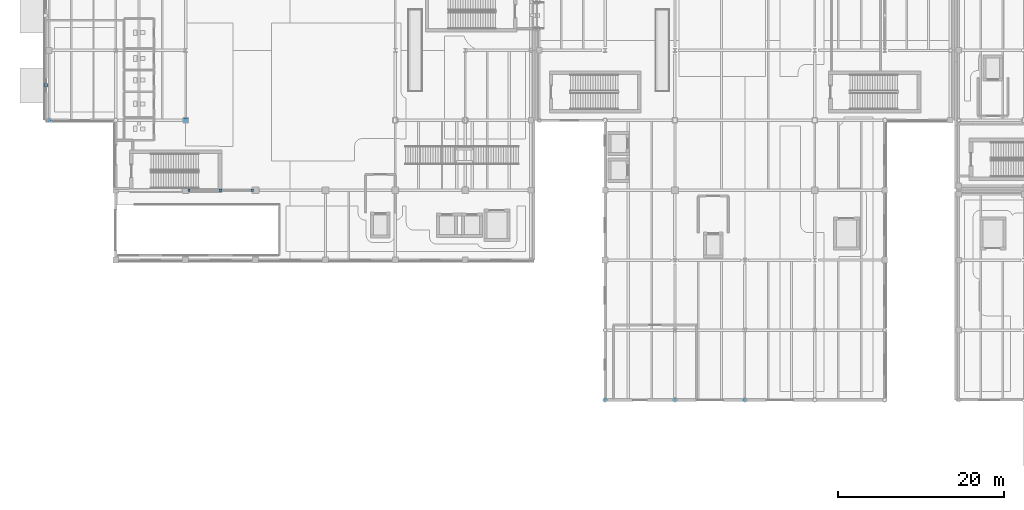
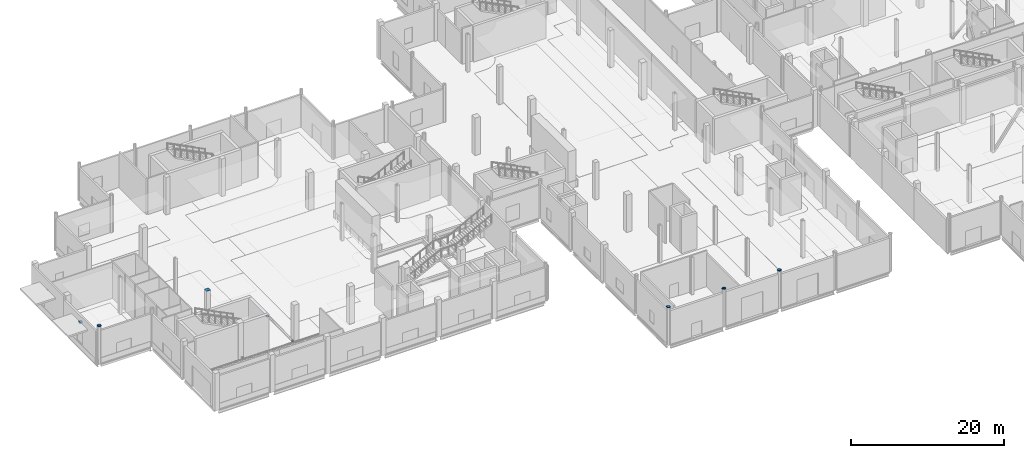
# One storey, part 56 of 85: 9 discrete accessories.
"""IFC4 building model written with IfcOpenShell, lengths in metres."""

from ifc_helpers import new_model, si_unit, direction, frame, origin, origin_2d, place, context, subcontext, project, spatial, rectangle, circle, extrude, material, type_object, element, save


model = new_model("IFC4")

# Units and contexts
model_context = context("Model", 3, precision=1e-05, world=origin(), true_north=direction((0.0, 1.0)))
body_context = subcontext(model_context, "Body", "Model", "MODEL_VIEW")
ifc_project = project(units=[si_unit("LENGTHUNIT", "METRE"), si_unit("AREAUNIT", "SQUARE_METRE"), si_unit("VOLUMEUNIT", "CUBIC_METRE"), si_unit("PLANEANGLEUNIT", "RADIAN"), si_unit("MASSUNIT", "GRAM", prefix="KILO"), si_unit("THERMODYNAMICTEMPERATUREUNIT", "KELVIN")], contexts=[model_context])

# Site, building, storey
site_placement = place(None, origin())
site = spatial("IfcSite", under=ifc_project, at=site_placement, CompositionType="ELEMENT")
building_placement = place(site_placement, origin())
building = spatial("IfcBuilding", under=site, at=building_placement, Name="Lustrewick Department Store", CompositionType="ELEMENT")
storey_placement = place(building_placement, origin())
storey = spatial("IfcBuildingStorey", under=building, at=storey_placement, Name="L01", CompositionType="ELEMENT", Elevation=0.0)

# Discrete accessories
ifc_material_1 = material(Name="Anodized filigree aluminium 6061-T6", Category="aluminium")
discrete_accessory_type_1 = type_object("IfcDiscreteAccessoryType", Name="BRK-FIL", PredefinedType="BRACKET", material=ifc_material_1)
discrete_accessory_1_placement = place(storey_placement, frame((0.0, 63.0, 4.0), z_axis=(0.0, 0.0, 1.0), x_axis=(0.0, 1.0, 0.0)))
element("IfcDiscreteAccessory", 1, at=discrete_accessory_1_placement, inside=storey, type_object=discrete_accessory_type_1, Name="L01 Marquise Anchor Bracket 05", PredefinedType="BRACKET", context=body_context, shape_type="SweptSolid", body=[
    extrude(rectangle(XDim=0.39990234375, YDim=0.39990234375, at=origin_2d()), origin(), (0.0, 0.0, 1.0), 0.300048828125),
])
ifc_material_2 = material(Name="Structural steel Q355C", Category="steel")
discrete_accessory_type_2 = type_object("IfcDiscreteAccessoryType", Name="GUS-NODE", PredefinedType="BRACKET", material=ifc_material_2)
for number, where, z_axis, x_axis, name in (
    (2, (17.199951171875, 50.39990234375, 0.06005859375), (0.0, 0.0, 1.0), (1.0, 0.0, 0.0), "L01 V1 Brace Base Gusset Plate"),
    (3, (24.800048828125, 50.39990234375, 0.06005859375), (0.0, 0.0, 1.0), (1.0, 0.0, 0.0), "L01 V1 Brace Base Gusset Plate"),
):
    element("IfcDiscreteAccessory", number, at=place(storey_placement, frame(where, z_axis=z_axis, x_axis=x_axis)), inside=storey, type_object=discrete_accessory_type_2, Name=name, PredefinedType="BRACKET", context=body_context, shape_type="SweptSolid", body=[
        extrude(rectangle(XDim=0.280029296875, YDim=0.280029296875, at=origin_2d()), origin(), (0.0, 0.0, 1.0), 0.179931640625),
    ])
discrete_accessory_2_placement = place(storey_placement, frame((21.0, 50.39990234375, 5.28515625), z_axis=(0.0, 0.0, 1.0), x_axis=(1.0, 0.0, 0.0)))
element("IfcDiscreteAccessory", 4, at=discrete_accessory_2_placement, inside=storey, type_object=discrete_accessory_type_2, Name="L01 V1 Chevron Brace Apex Gusset Plate", PredefinedType="BRACKET", context=body_context, shape_type="SweptSolid", body=[
    extrude(rectangle(XDim=0.320068359375, YDim=0.320068359375, at=origin_2d()), origin(), (0.0, 0.0, 1.0), 0.219970703125),
])
discrete_accessory_type_3 = type_object("IfcDiscreteAccessoryType", Name="ECP-01", PredefinedType="USERDEFINED", material=ifc_material_2)
discrete_accessory_3_placement = place(storey_placement, frame((16.800048828125, 58.800048828125, 5.993896484375), z_axis=(0.0, 0.0, 1.0), x_axis=(1.0, 0.0, 0.0)))
element("IfcDiscreteAccessory", 5, at=discrete_accessory_3_placement, inside=storey, type_object=discrete_accessory_type_3, Name="L01 Welded Hollow-Section End-Cap Plate ECP-01", ObjectType="END_CAP_PLATE", PredefinedType="USERDEFINED", context=body_context, shape_type="SweptSolid", body=[
    extrude(rectangle(XDim=0.60009765625, YDim=0.60009765625, at=origin_2d()), origin(), (0.0, 0.0, 1.0), 0.01611328125),
])
for number, where, z_axis, x_axis, name in (
    (6, (67.199951171875, 25.199951171875, 5.993896484375), (0.0, 0.0, 1.0), (1.0, 0.0, 0.0), "L01 Welded Hollow-Section End-Cap Plate ECP-01"),
    (7, (84.0, 25.199951171875, 5.993896484375), (0.0, 0.0, 1.0), (1.0, 0.0, 0.0), "L01 Welded Hollow-Section End-Cap Plate ECP-01"),
    (8, (0.39990234375, 58.800048828125, 5.993896484375), (0.0, 0.0, 1.0), (1.0, 0.0, 0.0), "L01 Welded Hollow-Section End-Cap Plate ECP-01"),
    (9, (75.60009765625, 25.199951171875, 5.993896484375), (0.0, 0.0, 1.0), (1.0, 0.0, 0.0), "L01 Welded Hollow-Section End-Cap Plate ECP-01"),
):
    element("IfcDiscreteAccessory", number, at=place(storey_placement, frame(where, z_axis=z_axis, x_axis=x_axis)), inside=storey, type_object=discrete_accessory_type_3, Name=name, ObjectType="END_CAP_PLATE", PredefinedType="USERDEFINED", context=body_context, shape_type="SweptSolid", body=[
        extrude(circle(Radius=0.25390625, at=origin_2d()), origin(), (0.0, 0.0, 1.0), 0.01611328125),
    ])

save(model, "model.ifc")
